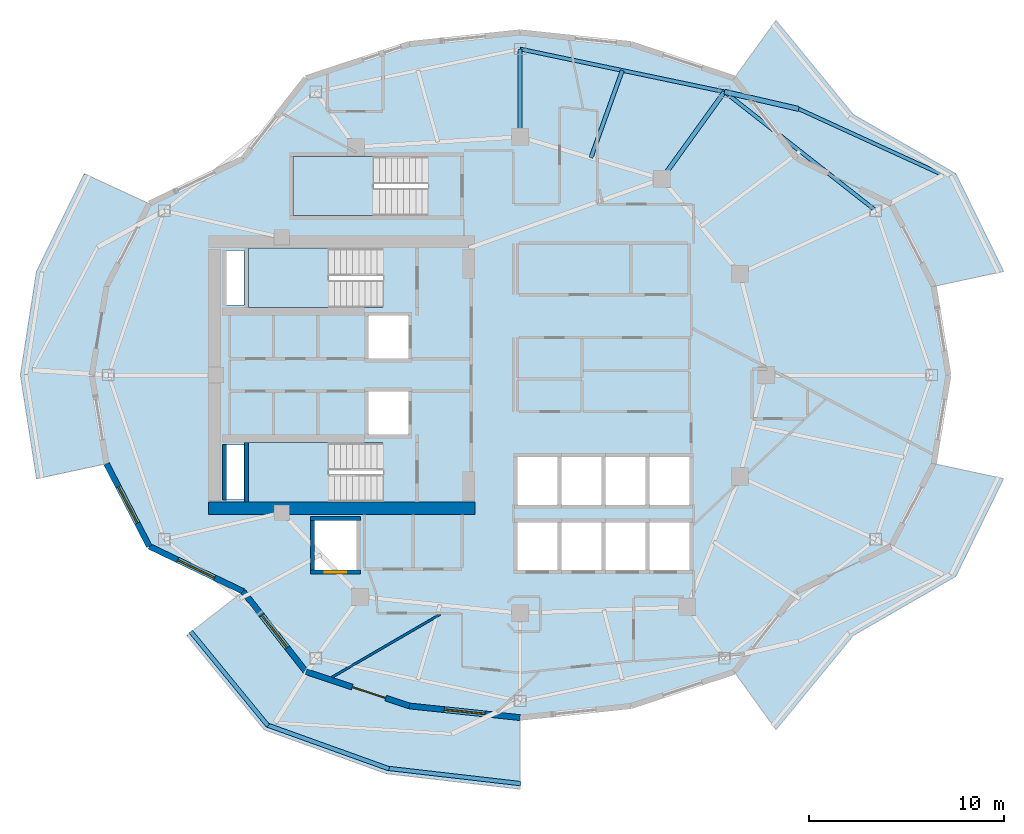
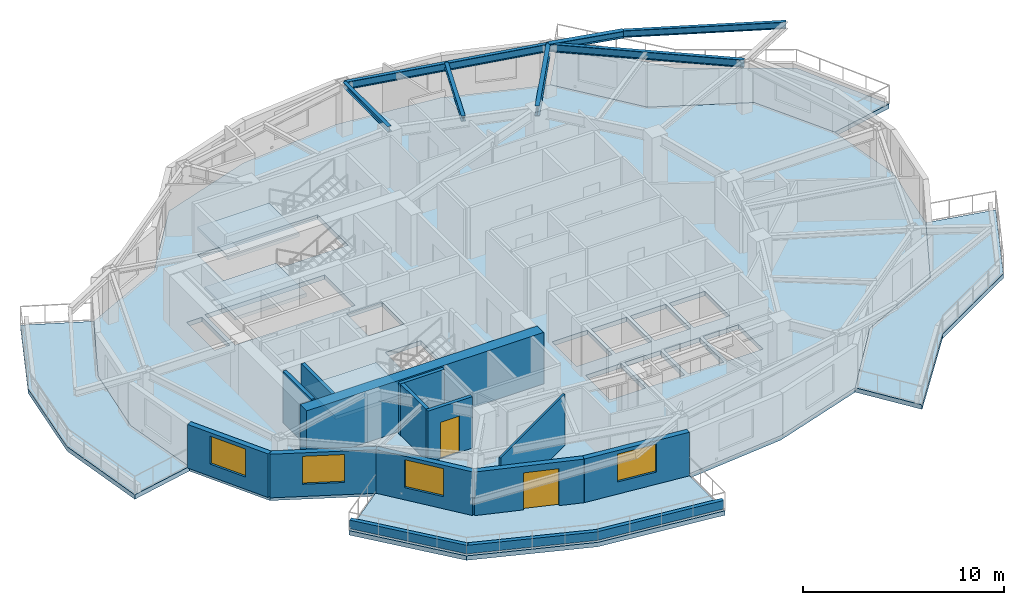
# One storey, part 2 of 10: 15 walls, 8 slabs, 7 beams, 4 windows, 2 doors, 6 openings, 3 elements without a shape of their own.
"""IFC4 building model written with IfcOpenShell, lengths in metres."""

from ifc_helpers import new_model, si_unit, direction, frame, frame_2d, origin, origin_2d, place, context, subcontext, project, spatial, polyline, rectangle, i_section, outline, extrude, material, layer, layer_set, material_profile, profile_set, type_object, element, fill, aggregate, save


model = new_model("IFC4")

# Units and contexts
model_context = context("Model", 3, precision=1e-05, world=origin(), true_north=direction((0.0, 1.0)))
body_context = subcontext(model_context, "Body", "Model", "MODEL_VIEW")
ifc_project = project(units=[si_unit("LENGTHUNIT", "METRE"), si_unit("AREAUNIT", "SQUARE_METRE"), si_unit("VOLUMEUNIT", "CUBIC_METRE"), si_unit("PLANEANGLEUNIT", "RADIAN"), si_unit("MASSUNIT", "GRAM", prefix="KILO")], contexts=[model_context])

# Site, building, storey
site_placement = place(None, origin())
site = spatial("IfcSite", under=ifc_project, at=site_placement, CompositionType="ELEMENT")
building_placement = place(site_placement, origin())
building = spatial("IfcBuilding", under=site, at=building_placement, Name="Kolvaren Gate Tower and Convention Centre", CompositionType="ELEMENT")
storey_placement = place(building_placement, frame((0.0, 0.0, 152.89990234375)))
storey = spatial("IfcBuildingStorey", under=building, at=storey_placement, Name="L39", CompositionType="ELEMENT", Elevation=152.89990234375)

# Beams
ifc_material_1 = material(Name="Structural steel ASTM A992 Grade 345 MPa", Category="steel")
ifc_material_profile_1 = material_profile(ifc_material_1, i_section(OverallWidth=0.260009765625, OverallDepth=0.419921875, WebThickness=0.013427734375, FlangeThickness=0.0224609375, at=origin_2d()), Name="W410X132")
ifc_profile_set_1 = profile_set([ifc_material_profile_1], Name="Structural steel ASTM A992 Grade 345 MPa")
beam_type_1 = type_object("IfcBeamType", Name="STR-BM-W410X132", PredefinedType="BEAM", material=ifc_profile_set_1)
beam_1_placement = place(storey_placement, frame((40.596435546875, 41.509521484375, 2.920654296875), z_axis=(0.974390140605, -0.224864078706, 0.0), x_axis=(0.224864078706, 0.974390140605, 0.0)))
element("IfcBeam", 1, at=beam_1_placement, inside=storey, type_object=beam_type_1, Name="Tower L40 Planted Balcony Outrigger Cantilever BC-1B", PredefinedType="BEAM", context=body_context, shape_type="SweptSolid", body=[
    extrude(i_section(OverallWidth=0.260009765625, OverallDepth=0.419921875, WebThickness=0.013427734375, FlangeThickness=0.0224609375, at=origin_2d()), origin(), (0.0, 0.0, 1.0), 3.89990234375),
])
ifc_material_profile_2 = material_profile(ifc_material_1, i_section(OverallWidth=0.22998046875, OverallDepth=0.616943359375, WebThickness=0.01318359375, FlangeThickness=0.022216796875, at=origin_2d()), Name="W610X140")
ifc_profile_set_2 = profile_set([ifc_material_profile_2], Name="Structural steel ASTM A992 Grade 345 MPa")
beam_type_2 = type_object("IfcBeamType", Name="STR-BM-W610X140", PredefinedType="BEAM", material=ifc_profile_set_2)
beam_2_placement = place(storey_placement, frame((37.381591796875, 37.054931640625, 2.821533203125), z_axis=(0.58520818289, 0.810883088169, 0.0), x_axis=(-0.810883088169, 0.58520818289, 0.0)))
element("IfcBeam", 2, at=beam_2_placement, inside=storey, type_object=beam_type_2, Name="Tower L39 Radial Floor Girder RB-03", PredefinedType="BEAM", context=body_context, shape_type="SweptSolid", body=[
    extrude(i_section(OverallWidth=0.22998046875, OverallDepth=0.616943359375, WebThickness=0.01318359375, FlangeThickness=0.022216796875, at=origin_2d()), origin(), (0.0, 0.0, 1.0), 5.493408203125),
])
ifc_material_profile_3 = material_profile(ifc_material_1, i_section(OverallWidth=0.205078125, OverallDepth=0.31005859375, WebThickness=0.009521484375, FlangeThickness=0.016357421875, at=origin_2d()), Name="W310X74")
ifc_profile_set_3 = profile_set([ifc_material_profile_3], Name="Structural steel ASTM A992 Grade 345 MPa")
beam_type_3 = type_object("IfcBeamType", Name="STR-JS-W310X74", PredefinedType="JOIST", material=ifc_profile_set_3)
beam_3_placement = place(storey_placement, frame((30.125, 39.199951171875, 2.97509765625), z_axis=(0.0, 1.0, 0.0), x_axis=(-1.0, 0.0, 0.0)))
element("IfcBeam", 3, at=beam_3_placement, inside=storey, type_object=beam_type_3, Name="Tower L39 Radial Floor Girder RB-04", PredefinedType="JOIST", context=body_context, shape_type="SweptSolid", body=[
    extrude(i_section(OverallWidth=0.205078125, OverallDepth=0.31005859375, WebThickness=0.009521484375, FlangeThickness=0.016357421875, at=origin_2d()), origin(), (0.0, 0.0, 1.0), 4.5),
])
beam_4_placement = place(storey_placement, frame((33.75341796875, 38.12744140625, 2.97509765625), z_axis=(0.33785426197, 0.941198436924, 0.0), x_axis=(-0.941198436924, 0.33785426197, 0.0)))
element("IfcBeam", 4, at=beam_4_placement, inside=storey, type_object=beam_type_3, Name="Tower L39 Secondary Composite Floor Joist J-03.1", PredefinedType="JOIST", context=body_context, shape_type="SweptSolid", body=[
    extrude(i_section(OverallWidth=0.205078125, OverallDepth=0.31005859375, WebThickness=0.009521484375, FlangeThickness=0.016357421875, at=origin_2d()), origin(), (0.0, 0.0, 1.0), 4.757080078125),
])
ifc_material_profile_4 = material_profile(ifc_material_1, i_section(OverallWidth=0.180908203125, OverallDepth=0.4169921875, WebThickness=0.010986328125, FlangeThickness=0.018310546875, at=origin_2d()), Name="W410X85")
ifc_profile_set_4 = profile_set([ifc_material_profile_4], Name="Structural steel ASTM A992 Grade 345 MPa")
beam_type_4 = type_object("IfcBeamType", Name="STR-SP-W410X85", PredefinedType="SPANDREL", material=ifc_profile_set_4)
beam_5_placement = place(storey_placement, frame((51.800537109375, 37.239501953125, 2.922119140625), z_axis=(-0.909086110351, 0.416608262, 0.0), x_axis=(-0.416608262, -0.909086110351, 0.0)))
element("IfcBeam", 5, at=beam_5_placement, inside=storey, type_object=beam_type_4, Name="Tower L40 Planted Balcony Header Tie Beam BT-1", PredefinedType="SPANDREL", context=body_context, shape_type="SweptSolid", body=[
    extrude(i_section(OverallWidth=0.180908203125, OverallDepth=0.4169921875, WebThickness=0.010986328125, FlangeThickness=0.018310546875, at=origin_2d()), origin(), (0.0, 0.0, 1.0), 8.14453125),
])
ifc_material_profile_5 = material_profile(ifc_material_1, i_section(OverallWidth=0.194091796875, OverallDepth=0.468994140625, WebThickness=0.0126953125, FlangeThickness=0.0205078125, at=origin_2d()), Name="W460X106")
ifc_profile_set_5 = profile_set([ifc_material_profile_5], Name="Structural steel ASTM A992 Grade 345 MPa")
beam_type_5 = type_object("IfcBeamType", Name="STR-SP-W460X106", PredefinedType="SPANDREL", material=ifc_profile_set_5)
beam_6_placement = place(storey_placement, frame((48.351806640625, 35.418701171875, 2.8955078125), z_axis=(-0.786450621777, 0.617653154697, 0.0), x_axis=(-0.617653154697, -0.786450621777, 0.0)))
element("IfcBeam", 6, at=beam_6_placement, inside=storey, type_object=beam_type_5, Name="Tower L39 Perimeter Spandrel Beam SP-02", PredefinedType="SPANDREL", context=body_context, shape_type="SweptSolid", body=[
    extrude(i_section(OverallWidth=0.194091796875, OverallDepth=0.468994140625, WebThickness=0.0126953125, FlangeThickness=0.0205078125, at=origin_2d()), origin(), (0.0, 0.0, 1.0), 9.861328125),
])
beam_7_placement = place(storey_placement, frame((40.596435546875, 41.509521484375, 2.8955078125), z_axis=(-0.978814350133, 0.204749769168, 0.0), x_axis=(-0.204749769168, -0.978814350133, 0.0)))
element("IfcBeam", 7, at=beam_7_placement, inside=storey, type_object=beam_type_5, Name="Tower L39 Perimeter Spandrel Beam SP-03", PredefinedType="SPANDREL", context=body_context, shape_type="SweptSolid", body=[
    extrude(i_section(OverallWidth=0.194091796875, OverallDepth=0.468994140625, WebThickness=0.0126953125, FlangeThickness=0.0205078125, at=origin_2d()), origin(), (0.0, 0.0, 1.0), 10.697998046875),
])

# Slabs
ifc_material_2 = material(Name="Concrete C50/60", Category="concrete")
ifc_layer_1 = layer(ifc_material_2, 0.27001953125)
ifc_layer_set_1 = layer_set([ifc_layer_1], Name="Concrete C50/60")
slab_type_1 = type_object("IfcSlabType", Name="STR-SL-BALC-270", PredefinedType="FLOOR", material=ifc_layer_set_1)
slab_1_placement = place(storey_placement, frame((0.0, 0.0, -0.27001953125)))
element("IfcSlab", 8, at=slab_1_placement, inside=storey, type_object=slab_type_1, Name="Tower L39 Planted Balcony Terrace Slab 1 (East)", PredefinedType="FLOOR", context=body_context, shape_type="SweptSolid", body=[
    extrude(outline(polyline([(51.31494140625, 31.542236328125), (49.123291015625, 35.77490234375), (44.3134765625, 38.0859375), (41.09375, 42.19873046875), (43.235595703125, 45.16650390625), (47.197509765625, 40.33935546875), (52.446044921875, 37.309814453125), (54.893798828125, 32.309326171875), (51.31494140625, 31.542236328125)])), origin(), (0.0, 0.0, 1.0), 0.27001953125),
])
slab_2_placement = place(storey_placement, frame((0.0, 0.0, -0.27001953125)))
element("IfcSlab", 9, at=slab_2_placement, inside=storey, type_object=slab_type_1, Name="Tower L39 Planted Balcony Terrace Slab 2 (West)", PredefinedType="FLOOR", context=body_context, shape_type="SweptSolid", body=[
    extrude(outline(polyline([(11.126708984375, 35.77490234375), (8.93505859375, 31.542236328125), (8.1875, 27.0), (8.93505859375, 22.457763671875), (5.356201171875, 21.690673828125), (4.527587890625, 27.0), (5.356201171875, 32.309326171875), (7.803955078125, 37.309814453125), (11.126708984375, 35.77490234375)])), origin(), (0.0, 0.0, 1.0), 0.27001953125),
])
slab_3_placement = place(storey_placement, frame((0.0, 0.0, -0.27001953125)))
element("IfcSlab", 10, at=slab_3_placement, inside=storey, type_object=slab_type_1, Name="Tower L39 Planted Balcony Terrace Slab 3 (South)", PredefinedType="FLOOR", context=body_context, shape_type="SweptSolid", body=[
    extrude(outline(polyline([(15.9365234375, 15.9140625), (19.15625, 11.80126953125), (24.447265625, 10.048095703125), (30.125, 9.449951171875), (30.125, 5.7900390625), (23.284912109375, 6.577392578125), (17.014404296875, 8.83349609375), (13.052490234375, 13.66064453125), (15.9365234375, 15.9140625)])), origin(), (0.0, 0.0, 1.0), 0.27001953125),
])
slab_4_placement = place(storey_placement, frame((0.0, 0.0, -0.27001953125)))
element("IfcSlab", 11, at=slab_4_placement, inside=storey, type_object=slab_type_1, Name="Tower L39 Planted Balcony Terrace Slab 4 (East)", PredefinedType="FLOOR", context=body_context, shape_type="SweptSolid", body=[
    extrude(outline(polyline([(41.09375, 11.80126953125), (44.3134765625, 15.9140625), (49.123291015625, 18.22509765625), (51.31494140625, 22.457763671875), (54.893798828125, 21.690673828125), (52.446044921875, 16.690185546875), (47.197509765625, 13.66064453125), (43.235595703125, 8.83349609375), (41.09375, 11.80126953125)])), origin(), (0.0, 0.0, 1.0), 0.27001953125),
])
ifc_material_3 = material(Name="Concrete C40/50", Category="concrete")
ifc_layer_2 = layer(ifc_material_3, 0.27001953125)
ifc_layer_set_2 = layer_set([ifc_layer_2], Name="Concrete C40/50")
slab_type_2 = type_object("IfcSlabType", Name="STR-SL-FLR-270", PredefinedType="FLOOR", material=ifc_layer_set_2)
slab_5_placement = place(storey_placement, frame((0.0, 0.0, -0.27001953125)))
element("IfcSlab", 12, at=slab_5_placement, inside=storey, type_object=slab_type_2, Name="Tower L39 Structural Floor Slab", PredefinedType="FLOOR", context=body_context, shape_type="SweptSolid", body=[
    extrude(outline(polyline([(52.0625, 27.0), (51.31494140625, 31.542236328125), (49.123291015625, 35.77490234375), (44.3134765625, 38.0859375), (41.09375, 42.19873046875), (35.802734375, 43.951904296875), (30.125, 44.550048828125), (24.447265625, 43.951904296875), (19.15625, 42.19873046875), (15.9365234375, 38.0859375), (11.126708984375, 35.77490234375), (8.93505859375, 31.542236328125), (8.1875, 27.0), (8.93505859375, 22.457763671875), (11.126708984375, 18.22509765625), (15.9365234375, 15.9140625), (19.15625, 11.80126953125), (24.447265625, 10.048095703125), (30.125, 9.449951171875), (35.802734375, 10.048095703125), (41.09375, 11.80126953125), (44.3134765625, 15.9140625), (49.123291015625, 18.22509765625), (51.31494140625, 22.457763671875), (52.0625, 27.0)]), holes=[polyline([(36.75, 17.0), (36.75, 19.449951171875), (38.800048828125, 19.449951171875), (38.800048828125, 17.0), (36.75, 17.0)]), polyline([(36.75, 20.35009765625), (36.75, 22.800048828125), (38.800048828125, 22.800048828125), (38.800048828125, 20.35009765625), (36.75, 20.35009765625)]), polyline([(34.5, 17.0), (34.5, 19.449951171875), (36.550048828125, 19.449951171875), (36.550048828125, 17.0), (34.5, 17.0)]), polyline([(34.5, 20.35009765625), (34.5, 22.800048828125), (36.550048828125, 22.800048828125), (36.550048828125, 20.35009765625), (34.5, 20.35009765625)]), polyline([(32.25, 17.0), (32.25, 19.449951171875), (34.300048828125, 19.449951171875), (34.300048828125, 17.0), (32.25, 17.0)]), polyline([(32.25, 20.35009765625), (32.25, 22.800048828125), (34.300048828125, 22.800048828125), (34.300048828125, 20.35009765625), (32.25, 20.35009765625)]), polyline([(30.0, 17.0), (30.0, 19.449951171875), (32.050048828125, 19.449951171875), (32.050048828125, 17.0), (30.0, 17.0)]), polyline([(30.0, 20.35009765625), (30.0, 22.800048828125), (32.050048828125, 22.800048828125), (32.050048828125, 20.35009765625), (30.0, 20.35009765625)]), polyline([(25.39990234375, 38.199951171875), (25.39990234375, 35.159912109375), (18.5, 35.159912109375), (18.5, 38.199951171875), (25.39990234375, 38.199951171875)]), polyline([(22.35009765625, 23.9599609375), (22.35009765625, 26.159912109375), (24.39990234375, 26.159912109375), (24.39990234375, 23.9599609375), (22.35009765625, 23.9599609375)]), polyline([(22.35009765625, 27.840087890625), (22.35009765625, 30.0400390625), (24.39990234375, 30.0400390625), (24.39990234375, 27.840087890625), (22.35009765625, 27.840087890625)]), polyline([(23.10009765625, 23.5400390625), (23.10009765625, 20.5), (16.199951171875, 20.5), (16.199951171875, 23.5400390625), (23.10009765625, 23.5400390625)]), polyline([(23.10009765625, 33.5), (23.10009765625, 30.4599609375), (16.199951171875, 30.4599609375), (16.199951171875, 33.5), (23.10009765625, 33.5)]), polyline([(19.60009765625, 17.0), (19.60009765625, 19.550048828125), (21.75, 19.550048828125), (21.75, 17.0), (19.60009765625, 17.0)]), polyline([(15.080078125, 20.6298828125), (15.080078125, 23.419921875), (15.969970703125, 23.419921875), (15.969970703125, 20.6298828125), (15.080078125, 20.6298828125)]), polyline([(15.080078125, 30.580078125), (15.080078125, 33.3701171875), (15.969970703125, 33.3701171875), (15.969970703125, 30.580078125), (15.080078125, 30.580078125)])]), origin(), (0.0, 0.0, 1.0), 0.27001953125),
])

# Stair, slab
stair_type = type_object("IfcStairType", Name="STR-STAIR-CORE", PredefinedType="HALF_TURN_STAIR", material=ifc_material_2)
stair_1_placement = place(storey_placement, origin())
stair_1 = element("IfcStair", 13, at=stair_1_placement, inside=storey, type_object=stair_type, Name="L39 Tower North Exit Stair ST-T1", PredefinedType="HALF_TURN_STAIR")
ifc_layer_3 = layer(ifc_material_2, 0.199951171875)
ifc_layer_set_3 = layer_set([ifc_layer_3], Name="Concrete C50/60")
slab_type_3 = type_object("IfcSlabType", Name="STR-SL-LAND-200", PredefinedType="LANDING", material=ifc_layer_set_3)
slab_6_placement = place(storey_placement, frame((0.0, 0.0, 1.5)))
slab_6 = element("IfcSlab", 14, at=slab_6_placement, type_object=slab_type_3, Name="ST-T1 landing 1", PredefinedType="LANDING", context=body_context, shape_type="SweptSolid", body=[
    extrude(outline(polyline([(20.31005859375, 33.5), (16.199951171875, 33.5), (16.199951171875, 30.4599609375), (20.31005859375, 30.4599609375), (20.31005859375, 33.5)])), origin(), (0.0, 0.0, 1.0), 0.2001953125),
])
aggregate(stair_1, [slab_6])

stair_2_placement = place(storey_placement, origin())
stair_2 = element("IfcStair", 15, at=stair_2_placement, inside=storey, type_object=stair_type, Name="L39 Tower South Exit Stair ST-T2", PredefinedType="HALF_TURN_STAIR")
slab_7_placement = place(storey_placement, frame((0.0, 0.0, 1.5)))
slab_7 = element("IfcSlab", 16, at=slab_7_placement, type_object=slab_type_3, Name="ST-T2 landing 1", PredefinedType="LANDING", context=body_context, shape_type="SweptSolid", body=[
    extrude(outline(polyline([(20.31005859375, 23.5400390625), (16.199951171875, 23.5400390625), (16.199951171875, 20.5), (20.31005859375, 20.5), (20.31005859375, 23.5400390625)])), origin(), (0.0, 0.0, 1.0), 0.2001953125),
])
aggregate(stair_2, [slab_7])

stair_3_placement = place(storey_placement, origin())
stair_3 = element("IfcStair", 17, at=stair_3_placement, inside=storey, type_object=stair_type, Name="L39 Tower Mid-Zone Exit Stair ST-T3", PredefinedType="HALF_TURN_STAIR")
slab_8_placement = place(storey_placement, frame((0.0, 0.0, 1.5)))
slab_8 = element("IfcSlab", 18, at=slab_8_placement, type_object=slab_type_3, Name="ST-T3 landing 1", PredefinedType="LANDING", context=body_context, shape_type="SweptSolid", body=[
    extrude(outline(polyline([(22.610107421875, 38.199951171875), (18.5, 38.199951171875), (18.5, 35.159912109375), (22.610107421875, 35.159912109375), (22.610107421875, 38.199951171875)])), origin(), (0.0, 0.0, 1.0), 0.2001953125),
])
aggregate(stair_3, [slab_8])

# Walls
ifc_material_4 = material(Name="Fire-Rated Acoustic Gypsum Stud Partition", Category="gypsum")
ifc_layer_4 = layer(ifc_material_4, 0.1201171875)
ifc_layer_set_4 = layer_set([ifc_layer_4], Name="Fire-Rated Acoustic Gypsum Stud Partition")
wall_type_1 = type_object("IfcWallType", Name="ARCH-WL-PART-120", PredefinedType="PARTITIONING", material=ifc_layer_set_4)
wall_1_placement = place(storey_placement, frame((20.490966796875, 11.51904296875, 0.0), z_axis=(0.0, 0.0, 1.0), x_axis=(0.864495629624, 0.502640334991, 0.0)))
element("IfcWall", 19, at=wall_1_placement, inside=storey, type_object=wall_type_1, Name="Interior Partition WL-L39-INT-057", PredefinedType="PARTITIONING", context=body_context, shape_type="SweptSolid", body=[
    extrude(rectangle(XDim=6.404052734375, YDim=0.1201171875, at=frame_2d((3.2021484375, 0.0))), origin(), (0.0, 0.0, 1.0), 3.130126953125),
])
ifc_material_5 = material(Name="Piedmont Cream Honed Limestone Cladding", Category="masonry")
ifc_layer_5 = layer(ifc_material_5, 0.219970703125)
ifc_layer_set_5 = layer_set([ifc_layer_5], Name="Piedmont Cream Honed Limestone Cladding")
wall_type_2 = type_object("IfcWallType", Name="ARCH-WL-PLANTER-220", PredefinedType="PARAPET", material=ifc_layer_set_5)
wall_2_placement = place(storey_placement, frame((13.24609375, 13.86279296875, 0.0), z_axis=(0.0, 0.0, 1.0), x_axis=(0.634429234628, -0.77298094818, 0.0)))
element("IfcWall", 20, at=wall_2_placement, inside=storey, type_object=wall_type_2, Name="Vertical-Forest Balcony Stone Planter Kerb PK-L39-3.1", PredefinedType="PARAPET", context=body_context, shape_type="SweptSolid", body=[
    extrude(rectangle(XDim=6.244873046875, YDim=0.219970703125, at=frame_2d((3.12255859375, 0.0))), origin(), (0.0, 0.0, 1.0), 0.52001953125),
])
wall_3_placement = place(storey_placement, frame((17.142822265625, 9.082275390625, 0.0), z_axis=(0.0, 0.0, 1.0), x_axis=(0.940948576924, -0.338549517184, 0.0)))
element("IfcWall", 21, at=wall_3_placement, inside=storey, type_object=wall_type_2, Name="Vertical-Forest Balcony Stone Planter Kerb PK-L39-3.2", PredefinedType="PARAPET", context=body_context, shape_type="SweptSolid", body=[
    extrude(rectangle(XDim=6.6640625, YDim=0.219970703125, at=frame_2d((3.33203125, 0.0))), origin(), (0.0, 0.0, 1.0), 0.52001953125),
])
wall_4_placement = place(storey_placement, frame((23.330078125, 6.853759765625, 0.0), z_axis=(0.0, 0.0, 1.0), x_axis=(0.993440576506, -0.114349555972, 0.0)))
element("IfcWall", 22, at=wall_4_placement, inside=storey, type_object=wall_type_2, Name="Vertical-Forest Balcony Stone Planter Kerb PK-L39-3.3", PredefinedType="PARAPET", context=body_context, shape_type="SweptSolid", body=[
    extrude(rectangle(XDim=6.885498046875, YDim=0.219970703125, at=frame_2d((3.44287109375, 0.0))), origin(), (0.0, 0.0, 1.0), 0.52001953125),
])
ifc_material_6 = material(Name="Autoclaved Aerated Masonry Blockwork Class 4 (4.0 MPa)", Category="masonry")
ifc_layer_6 = layer(ifc_material_6, 0.199951171875)
ifc_layer_set_6 = layer_set([ifc_layer_6], Name="Autoclaved Aerated Masonry Blockwork Class 4 (4.0 MPa)")
wall_type_3 = type_object("IfcWallType", Name="ARCH-WL-SHAFT-200", PredefinedType="SOLIDWALL", material=ifc_layer_set_6)
wall_5_placement = place(storey_placement, frame((19.39990234375, 19.64990234375, 0.0), z_axis=(0.0, 0.0, 1.0), x_axis=(1.0, 0.0, 0.0)))
element("IfcWall", 23, at=wall_5_placement, inside=storey, type_object=wall_type_3, Name="Elevator SV-01 L39 Fire Shaft Wall N", PredefinedType="SOLIDWALL", context=body_context, shape_type="SweptSolid", body=[
    extrude(rectangle(XDim=2.550048828125, YDim=0.199951171875, at=frame_2d((1.27490234375, 0.0))), origin(), (0.0, 0.0, 1.0), 3.130126953125),
])

# Wall, opening, door
wall_6_placement = place(storey_placement, frame((19.39990234375, 16.89990234375, 0.0), z_axis=(0.0, 0.0, 1.0), x_axis=(1.0, 0.0, 0.0)))
wall_6 = element("IfcWall", 24, at=wall_6_placement, inside=storey, type_object=wall_type_3, Name="Elevator SV-01 L39 Fire Shaft Wall S", PredefinedType="SOLIDWALL", context=body_context, shape_type="SweptSolid", body=[
    extrude(rectangle(XDim=2.550048828125, YDim=0.199951171875, at=frame_2d((1.27490234375, 0.0))), origin(), (0.0, 0.0, 1.0), 3.130126953125),
])
opening_1_placement = place(wall_6_placement, frame((0.72509765625, 0.0, 0.0)))
opening_1 = element("IfcOpeningElement", 25, at=opening_1_placement, cuts=wall_6, Name="Opening LD", PredefinedType="OPENING", context=body_context, shape_type="SweptSolid", body=[
    extrude(rectangle(XDim=1.10009765625, YDim=2.199951171875, at=frame_2d((0.550048828125, 1.10009765625))), frame((0.0, 0.10986328125, 0.0), z_axis=(0.0, -1.0, 0.0), x_axis=(1.0, 0.0, 0.0)), (0.0, 0.0, 1.0), 0.219970703125),
])
ifc_material_7 = material(Name="Brushed Stainless Steel Grade 316L", Category="steel")
door_type_1 = type_object("IfcDoorType", Name="ARCH-DR-LIFT-1100", OperationType="SLIDING_TO_LEFT", PredefinedType="DOOR", material=ifc_material_7)
door_1_placement = place(opening_1_placement, origin())
door_1 = element("IfcDoor", 26, at=door_1_placement, inside=storey, type_object=door_type_1, Name="Elevator SV-01 L39 Sliding Landing Door", OperationType="SLIDING_TO_LEFT", OverallHeight=2.199951171875, OverallWidth=1.10009765625, PredefinedType="DOOR", context=body_context, shape_type="SweptSolid", body=[
    extrude(rectangle(XDim=1.10009765625, YDim=2.199951171875, at=frame_2d((0.550048828125, 1.10009765625))), frame((0.0, 0.02490234375, 0.0), z_axis=(0.0, -1.0, 0.0), x_axis=(1.0, 0.0, 0.0)), (0.0, 0.0, 1.0), 0.050048828125),
])
fill(opening_1, door_1)

# Walls
wall_7_placement = place(storey_placement, frame((19.5, 17.010009765625, 0.0), z_axis=(0.0, 0.0, 1.0), x_axis=(0.0, 1.0, 0.0)))
element("IfcWall", 27, at=wall_7_placement, inside=storey, type_object=wall_type_3, Name="Elevator SV-01 L39 Fire Shaft Wall W", PredefinedType="SOLIDWALL", context=body_context, shape_type="SweptSolid", body=[
    extrude(rectangle(XDim=2.530029296875, YDim=0.199951171875, at=frame_2d((1.26513671875, 0.0))), origin(), (0.0, 0.0, 1.0), 3.130126953125),
])
wall_8_placement = place(storey_placement, frame((14.989990234375, 20.60009765625, 0.0), z_axis=(0.0, 0.0, 1.0), x_axis=(0.0, 1.0, 0.0)))
element("IfcWall", 28, at=wall_8_placement, inside=storey, type_object=wall_type_3, Name="Vertical Shaft MPR L39 EI-120 Enclosure Wall W", PredefinedType="SOLIDWALL", context=body_context, shape_type="SweptSolid", body=[
    extrude(rectangle(XDim=2.849853515625, YDim=0.199951171875, at=frame_2d((1.4248046875, 0.0))), origin(), (0.0, 0.0, 1.0), 3.130126953125),
])

# Wall, opening, window
ifc_layer_7 = layer(ifc_material_5, 0.300048828125)
ifc_layer_set_7 = layer_set([ifc_layer_7], Name="Piedmont Cream Honed Limestone Cladding")
wall_type_4 = type_object("IfcWallType", Name="ARCH-WL-STONE-300", PredefinedType="SOLIDWALL", material=ifc_layer_set_7)
wall_9_placement = place(storey_placement, frame((8.93505859375, 22.457763671875, 0.0), z_axis=(0.0, 0.0, 1.0), x_axis=(0.459810251451, -0.888017191647, 0.0)))
wall_9 = element("IfcWall", 29, at=wall_9_placement, inside=storey, type_object=wall_type_4, Name="Tower L39 Honed Stone Spandrel Wall EW-13", PredefinedType="SOLIDWALL", context=body_context, shape_type="SweptSolid", body=[
    extrude(rectangle(XDim=4.766357421875, YDim=0.300048828125, at=frame_2d((2.38330078125, 0.0))), origin(), (0.0, 0.0, 1.0), 2.653076171875),
])
opening_2_placement = place(wall_9_placement, frame((1.3330078125, 0.0, 0.739990234375)))
opening_2 = element("IfcOpeningElement", 30, at=opening_2_placement, cuts=wall_9, Name="Opening W-02", PredefinedType="OPENING", context=body_context, shape_type="SweptSolid", body=[
    extrude(rectangle(XDim=2.10009765625, YDim=1.699951171875, at=frame_2d((1.050048828125, 0.85009765625))), frame((0.0, 0.159912109375, 0.0), z_axis=(0.0, -1.0, 0.0), x_axis=(1.0, 0.0, 0.0)), (0.0, 0.0, 1.0), 0.320068359375),
])
ifc_material_8 = material(Name="Low-E Triple Insulated Glazing Unit 44 mm", Category="glass")
window_type = type_object("IfcWindowType", Name="ARCH-WN-HTL-2100", PartitioningType="SINGLE_PANEL", PredefinedType="WINDOW", material=ifc_material_8)
window_1_placement = place(opening_2_placement, origin())
window_1 = element("IfcWindow", 31, at=window_1_placement, inside=storey, type_object=window_type, Name="Tower L39 Punched Stone Facade Window W-13", OverallHeight=1.699951171875, OverallWidth=2.10009765625, PartitioningType="SINGLE_PANEL", PredefinedType="WINDOW", context=body_context, shape_type="SweptSolid", body=[
    extrude(rectangle(XDim=2.10009765625, YDim=1.699951171875, at=frame_2d((1.050048828125, 0.85009765625))), frame((0.0, 0.030029296875, 0.0), z_axis=(0.0, -1.0, 0.0), x_axis=(1.0, 0.0, 0.0)), (0.0, 0.0, 1.0), 0.06005859375),
])
fill(opening_2, window_1)

wall_10_placement = place(storey_placement, frame((11.126708984375, 18.22509765625, 0.0), z_axis=(0.0, 0.0, 1.0), x_axis=(0.901353070301, -0.433085029363, 0.0)))
wall_10 = element("IfcWall", 32, at=wall_10_placement, inside=storey, type_object=wall_type_4, Name="Tower L39 Honed Stone Spandrel Wall EW-14", PredefinedType="SOLIDWALL", context=body_context, shape_type="SweptSolid", body=[
    extrude(rectangle(XDim=5.336181640625, YDim=0.300048828125, at=frame_2d((2.66796875, 0.0))), origin(), (0.0, 0.0, 1.0), 2.653076171875),
])
opening_3_placement = place(wall_10_placement, frame((1.617919921875, 0.0, 0.739990234375)))
opening_3 = element("IfcOpeningElement", 33, at=opening_3_placement, cuts=wall_10, Name="Opening W-02", PredefinedType="OPENING", context=body_context, shape_type="SweptSolid", body=[
    extrude(rectangle(XDim=2.10009765625, YDim=1.699951171875, at=frame_2d((1.050048828125, 0.85009765625))), frame((0.0, 0.159912109375, 0.0), z_axis=(0.0, -1.0, 0.0), x_axis=(1.0, 0.0, 0.0)), (0.0, 0.0, 1.0), 0.320068359375),
])
window_2_placement = place(opening_3_placement, origin())
window_2 = element("IfcWindow", 34, at=window_2_placement, inside=storey, type_object=window_type, Name="Tower L39 Punched Stone Facade Window W-14", OverallHeight=1.699951171875, OverallWidth=2.10009765625, PartitioningType="SINGLE_PANEL", PredefinedType="WINDOW", context=body_context, shape_type="SweptSolid", body=[
    extrude(rectangle(XDim=2.10009765625, YDim=1.699951171875, at=frame_2d((1.050048828125, 0.85009765625))), frame((0.0, 0.030029296875, 0.0), z_axis=(0.0, -1.0, 0.0), x_axis=(1.0, 0.0, 0.0)), (0.0, 0.0, 1.0), 0.06005859375),
])
fill(opening_3, window_2)

wall_11_placement = place(storey_placement, frame((15.9365234375, 15.9140625, 0.0), z_axis=(0.0, 0.0, 1.0), x_axis=(0.616429245738, -0.787410302828, 0.0)))
wall_11 = element("IfcWall", 35, at=wall_11_placement, inside=storey, type_object=wall_type_4, Name="Tower L39 Honed Stone Spandrel Wall EW-15", PredefinedType="SOLIDWALL", context=body_context, shape_type="SweptSolid", body=[
    extrude(rectangle(XDim=5.22314453125, YDim=0.300048828125, at=frame_2d((2.611572265625, 0.0))), origin(), (0.0, 0.0, 1.0), 2.653076171875),
])
opening_4_placement = place(wall_11_placement, frame((1.56201171875, 0.0, 0.739990234375)))
opening_4 = element("IfcOpeningElement", 36, at=opening_4_placement, cuts=wall_11, Name="Opening W-02", PredefinedType="OPENING", context=body_context, shape_type="SweptSolid", body=[
    extrude(rectangle(XDim=2.10009765625, YDim=1.699951171875, at=frame_2d((1.050048828125, 0.85009765625))), frame((0.0, 0.159912109375, 0.0), z_axis=(0.0, -1.0, 0.0), x_axis=(1.0, 0.0, 0.0)), (0.0, 0.0, 1.0), 0.320068359375),
])
window_3_placement = place(opening_4_placement, origin())
window_3 = element("IfcWindow", 37, at=window_3_placement, inside=storey, type_object=window_type, Name="Tower L39 Punched Stone Facade Window W-15", OverallHeight=1.699951171875, OverallWidth=2.10009765625, PartitioningType="SINGLE_PANEL", PredefinedType="WINDOW", context=body_context, shape_type="SweptSolid", body=[
    extrude(rectangle(XDim=2.10009765625, YDim=1.699951171875, at=frame_2d((1.050048828125, 0.85009765625))), frame((0.0, 0.030029296875, 0.0), z_axis=(0.0, -1.0, 0.0), x_axis=(1.0, 0.0, 0.0)), (0.0, 0.0, 1.0), 0.06005859375),
])
fill(opening_4, window_3)

# Wall, opening, door
wall_12_placement = place(storey_placement, frame((19.15625, 11.80126953125, 0.0), z_axis=(0.0, 0.0, 1.0), x_axis=(0.949246811547, -0.314532177636, 0.0)))
wall_12 = element("IfcWall", 38, at=wall_12_placement, inside=storey, type_object=wall_type_4, Name="Tower L39 Honed Stone Spandrel Wall EW-16", PredefinedType="SOLIDWALL", context=body_context, shape_type="SweptSolid", body=[
    extrude(rectangle(XDim=5.573974609375, YDim=0.300048828125, at=frame_2d((2.787109375, 0.0))), origin(), (0.0, 0.0, 1.0), 2.653076171875),
])
opening_5_placement = place(wall_12_placement, frame((2.5, 0.0, 0.0)))
opening_5 = element("IfcOpeningElement", 39, at=opening_5_placement, cuts=wall_12, Name="Opening DB-01", PredefinedType="OPENING", context=body_context, shape_type="SweptSolid", body=[
    extrude(rectangle(XDim=1.800048828125, YDim=2.25, at=frame_2d((0.89990234375, 1.125))), frame((0.0, 0.159912109375, 0.0), z_axis=(0.0, -1.0, 0.0), x_axis=(1.0, 0.0, 0.0)), (0.0, 0.0, 1.0), 0.320068359375),
])
ifc_material_9 = material(Name="Anodized Architectural Aluminium Alloy 6063-T6", Category="aluminium")
door_type_2 = type_object("IfcDoorType", Name="ARCH-DR-BALC-1800", OperationType="SLIDING_TO_LEFT", PredefinedType="DOOR", material=ifc_material_9)
door_2_placement = place(opening_5_placement, frame((1.800048828125, 0.0, 0.0), z_axis=(0.0, 0.0, 1.0), x_axis=(-1.0, 0.0, 0.0)))
door_2 = element("IfcDoor", 40, at=door_2_placement, inside=storey, type_object=door_type_2, Name="Planted Sky Terrace Access Door DB-L39-16", OperationType="SLIDING_TO_LEFT", OverallHeight=2.25, OverallWidth=1.800048828125, PredefinedType="DOOR", context=body_context, shape_type="SweptSolid", body=[
    extrude(rectangle(XDim=1.800048828125, YDim=2.25, at=frame_2d((0.89990234375, 1.125))), frame((0.0, 0.02490234375, 0.0), z_axis=(0.0, -1.0, 0.0), x_axis=(1.0, 0.0, 0.0)), (0.0, 0.0, 1.0), 0.050048828125),
])
fill(opening_5, door_2)

# Wall, opening, window
wall_13_placement = place(storey_placement, frame((24.447265625, 10.048095703125, 0.0), z_axis=(0.0, 0.0, 1.0), x_axis=(0.994496545245, -0.104769372887, 0.0)))
wall_13 = element("IfcWall", 41, at=wall_13_placement, inside=storey, type_object=wall_type_4, Name="Tower L39 Honed Stone Spandrel Wall EW-17", PredefinedType="SOLIDWALL", context=body_context, shape_type="SweptSolid", body=[
    extrude(rectangle(XDim=5.709228515625, YDim=0.300048828125, at=frame_2d((2.8544921875, 0.0))), origin(), (0.0, 0.0, 1.0), 2.653076171875),
])
opening_6_placement = place(wall_13_placement, frame((1.804931640625, 0.0, 0.739990234375)))
opening_6 = element("IfcOpeningElement", 42, at=opening_6_placement, cuts=wall_13, Name="Opening W-02", PredefinedType="OPENING", context=body_context, shape_type="SweptSolid", body=[
    extrude(rectangle(XDim=2.10009765625, YDim=1.699951171875, at=frame_2d((1.050048828125, 0.85009765625))), frame((0.0, 0.159912109375, 0.0), z_axis=(0.0, -1.0, 0.0), x_axis=(1.0, 0.0, 0.0)), (0.0, 0.0, 1.0), 0.320068359375),
])
window_4_placement = place(opening_6_placement, origin())
window_4 = element("IfcWindow", 43, at=window_4_placement, inside=storey, type_object=window_type, Name="Tower L39 Punched Stone Facade Window W-17", OverallHeight=1.699951171875, OverallWidth=2.10009765625, PartitioningType="SINGLE_PANEL", PredefinedType="WINDOW", context=body_context, shape_type="SweptSolid", body=[
    extrude(rectangle(XDim=2.10009765625, YDim=1.699951171875, at=frame_2d((1.050048828125, 0.85009765625))), frame((0.0, 0.030029296875, 0.0), z_axis=(0.0, -1.0, 0.0), x_axis=(1.0, 0.0, 0.0)), (0.0, 0.0, 1.0), 0.06005859375),
])
fill(opening_6, window_4)

# Walls
ifc_material_10 = material(Name="Concrete C60/75", Category="concrete")
ifc_layer_8 = layer(ifc_material_10, 0.64990234375)
ifc_layer_set_8 = layer_set([ifc_layer_8], Name="Concrete C60/75")
wall_type_5 = type_object("IfcWallType", Name="STR-WL-CORE-650", PredefinedType="SHEAR", material=ifc_layer_set_8)
wall_14_placement = place(storey_placement, frame((14.175048828125, 20.175048828125, -0.27001953125), z_axis=(0.0, 0.0, 1.0), x_axis=(1.0, 0.0, 0.0)))
element("IfcWall", 44, at=wall_14_placement, inside=storey, type_object=wall_type_5, Name="Tower L39 Offset Core Shear Wall S", PredefinedType="SHEAR", context=body_context, shape_type="SweptSolid", body=[
    extrude(rectangle(XDim=13.64990234375, YDim=0.64990234375, at=frame_2d((6.824951171875, 0.0))), origin(), (0.0, 0.0, 1.0), 3.400146484375),
])
ifc_layer_9 = layer(ifc_material_2, 0.199951171875)
ifc_layer_set_9 = layer_set([ifc_layer_9], Name="Concrete C50/60")
wall_type_6 = type_object("IfcWallType", Name="STR-WL-SHAFT-200", PredefinedType="SHEAR", material=ifc_layer_set_9)
wall_15_placement = place(storey_placement, frame((16.10009765625, 20.501953125, -0.27001953125), z_axis=(0.0, 0.0, 1.0), x_axis=(0.0, 1.0, 0.0)))
element("IfcWall", 45, at=wall_15_placement, inside=storey, type_object=wall_type_6, Name="Tower South Exit Stair ST-T2 L39 Structural Shear Enclosure Wall FAR", PredefinedType="SHEAR", context=body_context, shape_type="SweptSolid", body=[
    extrude(rectangle(XDim=3.0361328125, YDim=0.199951171875, at=frame_2d((1.51806640625, 0.0))), origin(), (0.0, 0.0, 1.0), 3.400146484375),
])

save(model, "model.ifc")
